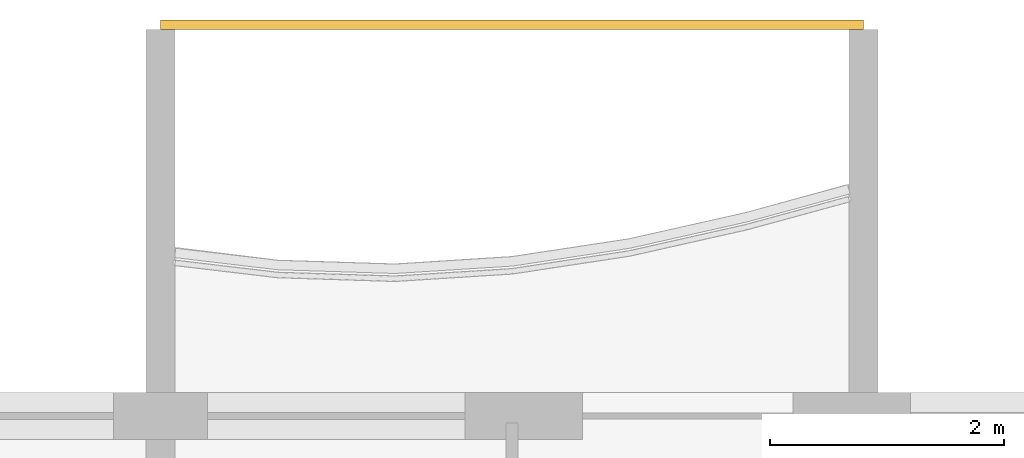
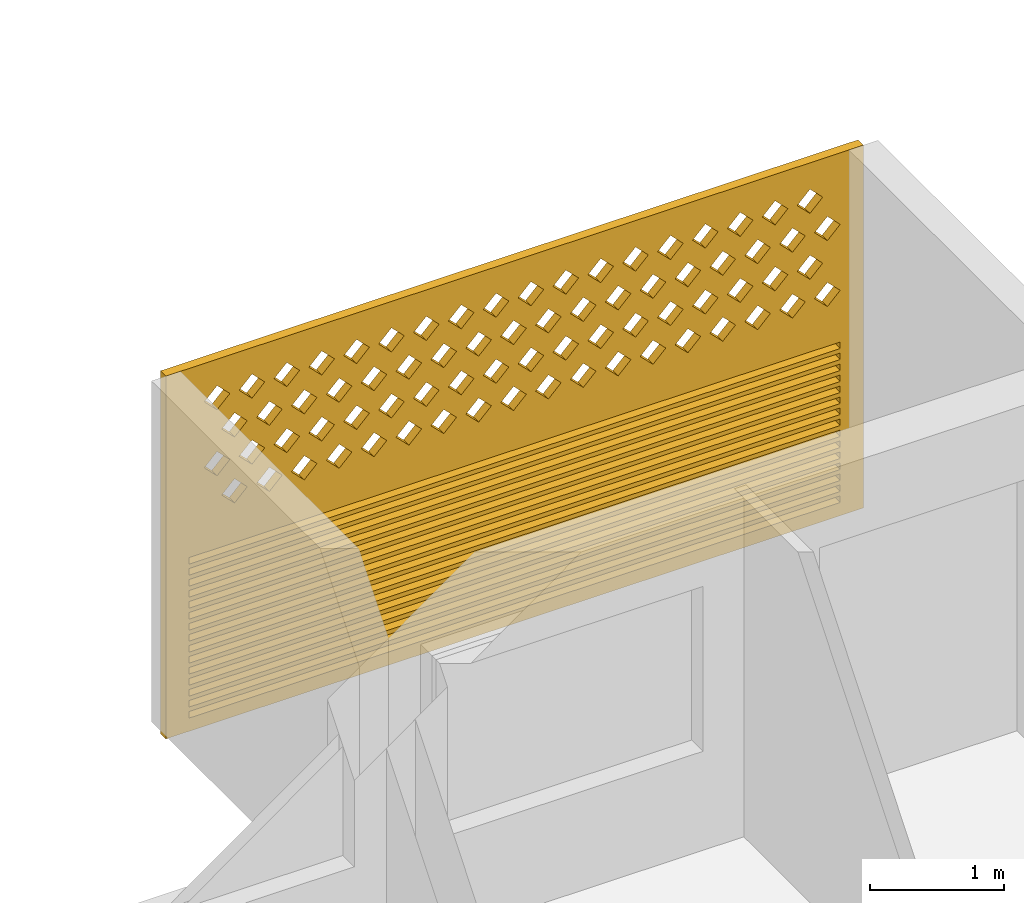
# One storey, part 20 of 26: 1 covering.
"""IFC4 building model written with IfcOpenShell, lengths in metres."""

import ifcopenshell
import ifcopenshell.guid

model = None  # the IFC model being written
_history = None  # IfcOwnerHistory: only IFC2X3 demands one
_inside = {}  # id of a spatial element -> (the spatial element, [elements in it])
_under = {}  # id of a project, library or spatial element -> (it, [spatial elements below it])
_declared = {}  # id of a project -> (the project, [libraries it declares])
_typed = {}  # id of a type object -> (the type object, [elements of that type])
_made_of = {}  # id of a material, layer set ... -> (it, [elements and type objects made of it])


def new_model(schema):
    """Start an empty IFC model of exactly this schema.

    Asked for "IFC4X3", IfcOpenShell would pick the latest addendum, in which some entities
    have other attributes; the version numbers below select the first issue.
    IFC2X3 requires an IfcOwnerHistory on every rooted entity: one is made here for all.
    """
    global model, _history
    if schema == "IFC4X3":
        model = ifcopenshell.file(schema_version=(4, 3, 0, 0))
    else:
        model = ifcopenshell.file(schema=schema)
    _inside.clear()
    _under.clear()
    _declared.clear()
    _typed.clear()
    _made_of.clear()
    _history = None
    if model.schema == "IFC2X3":
        org = make("IfcOrganization", Name="unknown")
        user = make(
            "IfcPersonAndOrganization",
            ThePerson=make("IfcPerson", FamilyName="unknown"),
            TheOrganization=org,
        )
        app = make(
            "IfcApplication",
            ApplicationDeveloper=org,
            Version="unknown",
            ApplicationFullName="unknown",
            ApplicationIdentifier="unknown",
        )
        _history = make(
            "IfcOwnerHistory",
            OwningUser=user,
            OwningApplication=app,
            ChangeAction="ADDED",
            CreationDate=0,
        )
    return model


def make(cls, **values):
    """One entity of the class cls with the attributes given. An attribute that is None is left unset."""
    return model.create_entity(
        cls, **{name: value for name, value in values.items() if value is not None}
    )


def rooted(cls, **values):
    """An entity with a GlobalId (a new one), such as an element, a storey or a relation."""
    return make(cls, GlobalId=ifcopenshell.guid.new(), OwnerHistory=_history, **values)


def si_unit(unit_type, name, prefix=None):
    """IfcSIUnit, for example si_unit("LENGTHUNIT", "METRE", prefix="MILLI")."""
    return make("IfcSIUnit", UnitType=unit_type, Prefix=prefix, Name=name)


def assignment(units):
    """IfcUnitAssignment: the units of a project."""
    return None if units is None else make("IfcUnitAssignment", Units=units)


def point(xyz):
    """IfcCartesianPoint."""
    return None if xyz is None else make("IfcCartesianPoint", Coordinates=xyz)


def direction(xyz):
    """IfcDirection."""
    return None if xyz is None else make("IfcDirection", DirectionRatios=xyz)


def frame(location, z_axis=None, x_axis=None):
    """IfcAxis2Placement3D, a coordinate frame: its origin and axes. An axis left out is left unset."""
    return make(
        "IfcAxis2Placement3D",
        Location=point(location),
        Axis=direction(z_axis),
        RefDirection=direction(x_axis),
    )


def origin():
    """The frame at (0, 0, 0) with its axes left unset."""
    return frame((0.0, 0.0, 0.0))


def place(relative_to, where):
    """IfcLocalPlacement: puts the frame where relative to a parent placement (None: the world)."""
    return make(
        "IfcLocalPlacement", PlacementRelTo=relative_to, RelativePlacement=where
    )


def context(
    kind, dimensions, precision=None, world=None, true_north=None, identifier=None
):
    """IfcGeometricRepresentationContext, for example the 3D "Model" context."""
    return make(
        "IfcGeometricRepresentationContext",
        ContextIdentifier=identifier,
        ContextType=kind,
        CoordinateSpaceDimension=dimensions,
        Precision=precision,
        WorldCoordinateSystem=world,
        TrueNorth=true_north,
    )


def subcontext(parent, identifier, kind, view, scale=None):
    """IfcGeometricRepresentationSubContext, for example "Body" below "Model"."""
    return make(
        "IfcGeometricRepresentationSubContext",
        ContextIdentifier=identifier,
        ContextType=kind,
        ParentContext=parent,
        TargetScale=scale,
        TargetView=view,
    )


def project(units=None, contexts=None):
    """IfcProject with its units and contexts."""
    return rooted(
        "IfcProject",
        Name="project",
        RepresentationContexts=contexts,
        UnitsInContext=assignment(units),
    )


def spatial(cls, under=None, at=None, **own):
    """A site, building, storey or space (cls), placed at a placement, below another one or the project."""
    s = rooted(cls, ObjectPlacement=at, **own)
    if under is not None:
        _under.setdefault(under.id(), (under, []))[1].append(s)
    return s


def polyline(points):
    """IfcPolyline through the points."""
    return make("IfcPolyline", Points=[point(p) for p in points])


def outline(outer, holes=None, kind="AREA"):
    """IfcArbitraryClosedProfileDef: a profile drawn as a closed curve; with holes, ...WithVoids."""
    if holes is None:
        return make("IfcArbitraryClosedProfileDef", ProfileType=kind, OuterCurve=outer)
    return make(
        "IfcArbitraryProfileDefWithVoids",
        ProfileType=kind,
        OuterCurve=outer,
        InnerCurves=holes,
    )


def extrude(swept, where, along, depth):
    """IfcExtrudedAreaSolid: the profile swept, set in the frame where, extruded along a direction by depth."""
    return make(
        "IfcExtrudedAreaSolid",
        SweptArea=swept,
        Position=where,
        ExtrudedDirection=direction(along),
        Depth=depth,
    )


def shape(context_of_items, identifier, shape_type, items):
    """IfcShapeRepresentation: the items that make up one representation, for example the "Body"."""
    return make(
        "IfcShapeRepresentation",
        ContextOfItems=context_of_items,
        RepresentationIdentifier=identifier,
        RepresentationType=shape_type,
        Items=items,
    )


def source(mapping_origin, context_of_items, identifier, shape_type, items):
    """IfcRepresentationMap: a shape defined once, which mapped items show again and again."""
    return make(
        "IfcRepresentationMap",
        MappingOrigin=mapping_origin,
        MappedRepresentation=shape(context_of_items, identifier, shape_type, items),
    )


def transform(
    local_origin,
    x_axis=None,
    y_axis=None,
    z_axis=None,
    scale=None,
    scale2=None,
    scale3=None,
    uniform=True,
):
    """IfcCartesianTransformationOperator3D, or its non-uniform kind. x_axis, y_axis, z_axis: its Axis1, 2, 3."""
    if uniform:
        return make(
            "IfcCartesianTransformationOperator3D",
            Axis1=direction(x_axis),
            Axis2=direction(y_axis),
            LocalOrigin=point(local_origin),
            Scale=scale,
            Axis3=direction(z_axis),
        )
    return make(
        "IfcCartesianTransformationOperator3DnonUniform",
        Axis1=direction(x_axis),
        Axis2=direction(y_axis),
        LocalOrigin=point(local_origin),
        Scale=scale,
        Axis3=direction(z_axis),
        Scale2=scale2,
        Scale3=scale3,
    )


def mapped(mapping_source, mapping_target):
    """IfcMappedItem: shows the shape of a source again, moved by a transform."""
    return make(
        "IfcMappedItem", MappingSource=mapping_source, MappingTarget=mapping_target
    )


def material(Name=None, Category=None):
    """IfcMaterial."""
    return make("IfcMaterial", Name=Name, Category=Category)


def material_profile(
    of_material, cross_section, Name=None, Category=None, Priority=None
):
    """IfcMaterialProfile: a cross section and its material."""
    return make(
        "IfcMaterialProfile",
        Name=Name,
        Material=of_material,
        Profile=cross_section,
        Priority=Priority,
        Category=Category,
    )


def profile_set(profiles, Name=None, composite=None):
    """IfcMaterialProfileSet."""
    return make(
        "IfcMaterialProfileSet",
        Name=Name,
        MaterialProfiles=profiles,
        CompositeProfile=composite,
    )


def made_of(thing, what):
    """Note that an element or type object is made of a material, layer set ...; save() writes the relation."""
    if what is not None:
        _made_of.setdefault(what.id(), (what, []))[1].append(thing)
    return thing


def type_object(cls, material=None, **own):
    """A type object (cls), such as IfcWallType, which elements share."""
    return made_of(rooted(cls, **own), material)


def element(
    cls,
    number,
    at=None,
    inside=None,
    cuts=None,
    type_object=None,
    material=None,
    context=None,
    identifier="Body",
    shape_type=None,
    held_by="IfcProductDefinitionShape",
    body=None,
    shapes=None,
    **own,
):
    """One element of the class cls, such as IfcWall. Its Tag is "e" and its number.

    at: its placement. inside: the storey or other place that contains it. cuts: it is an
    opening in that element (IfcRelVoidsElement). A single representation is given by context,
    identifier, shape_type and body (its items); several are given by shapes. held_by: the class
    of the entity that holds the representations. save() writes the other relations.
    """
    e = rooted(cls, Tag="e%d" % number, ObjectPlacement=at, **own)
    if body is not None:
        shapes = [shape(context, identifier, shape_type, body)]
    if shapes is not None:
        e.Representation = make(held_by, Representations=shapes)
    if inside is not None:
        _inside.setdefault(inside.id(), (inside, []))[1].append(e)
    if cuts is not None:
        rooted(
            "IfcRelVoidsElement", RelatingBuildingElement=cuts, RelatedOpeningElement=e
        )
    if type_object is not None:
        _typed.setdefault(type_object.id(), (type_object, []))[1].append(e)
    return made_of(e, material)


def aggregate(whole, parts):
    """IfcRelAggregates: a whole, such as a stair, and the parts it consists of."""
    return rooted("IfcRelAggregates", RelatingObject=whole, RelatedObjects=parts)


def save(model, path):
    """Write the relations noted so far, then the file.

    IfcRelAggregates (storeys below a building ...), IfcRelContainedInSpatialStructure (elements
    in a storey), IfcRelDefinesByType, IfcRelAssociatesMaterial and IfcRelDeclares: one each for
    every whole, place, type object, material and project.
    """
    for whole, parts in _under.values():
        aggregate(whole, parts)
    for where, things in _inside.values():
        rooted(
            "IfcRelContainedInSpatialStructure",
            RelatedElements=things,
            RelatingStructure=where,
        )
    for kind, things in _typed.values():
        rooted("IfcRelDefinesByType", RelatedObjects=things, RelatingType=kind)
    for what, things in _made_of.values():
        rooted("IfcRelAssociatesMaterial", RelatedObjects=things, RelatingMaterial=what)
    for by, libraries in _declared.values():
        rooted("IfcRelDeclares", RelatingContext=by, RelatedDefinitions=libraries)
    model.write(path)


model = new_model("IFC4")

# Units and contexts
model_context = context("Model", 3, precision=1e-05, world=origin(), true_north=direction((0.0, 1.0)))
body_context = subcontext(model_context, "Body", "Model", "MODEL_VIEW")
ifc_project = project(units=[si_unit("LENGTHUNIT", "METRE"), si_unit("AREAUNIT", "SQUARE_METRE"), si_unit("VOLUMEUNIT", "CUBIC_METRE"), si_unit("PLANEANGLEUNIT", "RADIAN"), si_unit("MASSUNIT", "GRAM", prefix="KILO")], contexts=[model_context])

# Site, building, storey
site_placement = place(None, origin())
site = spatial("IfcSite", under=ifc_project, at=site_placement, CompositionType="ELEMENT")
building_placement = place(site_placement, origin())
building = spatial("IfcBuilding", under=site, at=building_placement, Name="Poui Terraces", CompositionType="ELEMENT")
storey_placement = place(building_placement, frame((0.0, 0.0, 224.699951171875)))
storey = spatial("IfcBuildingStorey", under=building, at=storey_placement, Name="L62", CompositionType="ELEMENT", Elevation=224.699951171875)

# Covering
ifc_material = material(Name="Terracotta screen", Category="masonry")
ifc_material_profile = material_profile(ifc_material, outline(polyline([(-3.0, -1.64990234375), (3.0, -1.64990234375), (3.0, 1.64990234375), (-3.0, 1.64990234375), (-3.0, -1.64990234375)]), holes=[polyline([(-2.800048828125, 0.39990234375), (-2.68994140625, 0.2900390625), (-2.580078125, 0.39990234375), (-2.68994140625, 0.510009765625), (-2.800048828125, 0.39990234375)]), polyline([(-2.5, 0.39990234375), (-2.389892578125, 0.2900390625), (-2.280029296875, 0.39990234375), (-2.389892578125, 0.510009765625), (-2.5, 0.39990234375)]), polyline([(-2.199951171875, 0.39990234375), (-2.090087890625, 0.2900390625), (-1.97998046875, 0.39990234375), (-2.090087890625, 0.510009765625), (-2.199951171875, 0.39990234375)]), polyline([(-1.89990234375, 0.39990234375), (-1.7900390625, 0.2900390625), (-1.679931640625, 0.39990234375), (-1.7900390625, 0.510009765625), (-1.89990234375, 0.39990234375)]), polyline([(-1.60009765625, 0.39990234375), (-1.489990234375, 0.2900390625), (-1.3798828125, 0.39990234375), (-1.489990234375, 0.510009765625), (-1.60009765625, 0.39990234375)]), polyline([(-1.300048828125, 0.39990234375), (-1.18994140625, 0.2900390625), (-1.080078125, 0.39990234375), (-1.18994140625, 0.510009765625), (-1.300048828125, 0.39990234375)]), polyline([(-1.0, 0.39990234375), (-0.889892578125, 0.2900390625), (-0.780029296875, 0.39990234375), (-0.889892578125, 0.510009765625), (-1.0, 0.39990234375)]), polyline([(-0.699951171875, 0.39990234375), (-0.590087890625, 0.2900390625), (-0.47998046875, 0.39990234375), (-0.590087890625, 0.510009765625), (-0.699951171875, 0.39990234375)]), polyline([(-0.39990234375, 0.39990234375), (-0.2900390625, 0.2900390625), (-0.179931640625, 0.39990234375), (-0.2900390625, 0.510009765625), (-0.39990234375, 0.39990234375)]), polyline([(-0.10009765625, 0.39990234375), (0.010009765625, 0.2900390625), (0.1201171875, 0.39990234375), (0.010009765625, 0.510009765625), (-0.10009765625, 0.39990234375)]), polyline([(0.199951171875, 0.39990234375), (0.31005859375, 0.2900390625), (0.419921875, 0.39990234375), (0.31005859375, 0.510009765625), (0.199951171875, 0.39990234375)]), polyline([(0.5, 0.39990234375), (0.610107421875, 0.2900390625), (0.719970703125, 0.39990234375), (0.610107421875, 0.510009765625), (0.5, 0.39990234375)]), polyline([(0.800048828125, 0.39990234375), (0.909912109375, 0.2900390625), (1.02001953125, 0.39990234375), (0.909912109375, 0.510009765625), (0.800048828125, 0.39990234375)]), polyline([(1.10009765625, 0.39990234375), (1.2099609375, 0.2900390625), (1.320068359375, 0.39990234375), (1.2099609375, 0.510009765625), (1.10009765625, 0.39990234375)]), polyline([(1.39990234375, 0.39990234375), (1.510009765625, 0.2900390625), (1.6201171875, 0.39990234375), (1.510009765625, 0.510009765625), (1.39990234375, 0.39990234375)]), polyline([(1.699951171875, 0.39990234375), (1.81005859375, 0.2900390625), (1.919921875, 0.39990234375), (1.81005859375, 0.510009765625), (1.699951171875, 0.39990234375)]), polyline([(2.0, 0.39990234375), (2.110107421875, 0.2900390625), (2.219970703125, 0.39990234375), (2.110107421875, 0.510009765625), (2.0, 0.39990234375)]), polyline([(2.300048828125, 0.39990234375), (2.409912109375, 0.2900390625), (2.52001953125, 0.39990234375), (2.409912109375, 0.510009765625), (2.300048828125, 0.39990234375)]), polyline([(-2.64990234375, 0.699951171875), (-2.5400390625, 0.590087890625), (-2.429931640625, 0.699951171875), (-2.5400390625, 0.81005859375), (-2.64990234375, 0.699951171875)]), polyline([(-2.35009765625, 0.699951171875), (-2.239990234375, 0.590087890625), (-2.1298828125, 0.699951171875), (-2.239990234375, 0.81005859375), (-2.35009765625, 0.699951171875)]), polyline([(-2.050048828125, 0.699951171875), (-1.93994140625, 0.590087890625), (-1.830078125, 0.699951171875), (-1.93994140625, 0.81005859375), (-2.050048828125, 0.699951171875)]), polyline([(-1.75, 0.699951171875), (-1.639892578125, 0.590087890625), (-1.530029296875, 0.699951171875), (-1.639892578125, 0.81005859375), (-1.75, 0.699951171875)]), polyline([(-1.449951171875, 0.699951171875), (-1.340087890625, 0.590087890625), (-1.22998046875, 0.699951171875), (-1.340087890625, 0.81005859375), (-1.449951171875, 0.699951171875)]), polyline([(-1.14990234375, 0.699951171875), (-1.0400390625, 0.590087890625), (-0.929931640625, 0.699951171875), (-1.0400390625, 0.81005859375), (-1.14990234375, 0.699951171875)]), polyline([(-0.85009765625, 0.699951171875), (-0.739990234375, 0.590087890625), (-0.6298828125, 0.699951171875), (-0.739990234375, 0.81005859375), (-0.85009765625, 0.699951171875)]), polyline([(-0.550048828125, 0.699951171875), (-0.43994140625, 0.590087890625), (-0.330078125, 0.699951171875), (-0.43994140625, 0.81005859375), (-0.550048828125, 0.699951171875)]), polyline([(-0.25, 0.699951171875), (-0.139892578125, 0.590087890625), (-0.030029296875, 0.699951171875), (-0.139892578125, 0.81005859375), (-0.25, 0.699951171875)]), polyline([(0.050048828125, 0.699951171875), (0.159912109375, 0.590087890625), (0.27001953125, 0.699951171875), (0.159912109375, 0.81005859375), (0.050048828125, 0.699951171875)]), polyline([(0.35009765625, 0.699951171875), (0.4599609375, 0.590087890625), (0.570068359375, 0.699951171875), (0.4599609375, 0.81005859375), (0.35009765625, 0.699951171875)]), polyline([(0.64990234375, 0.699951171875), (0.760009765625, 0.590087890625), (0.8701171875, 0.699951171875), (0.760009765625, 0.81005859375), (0.64990234375, 0.699951171875)]), polyline([(0.949951171875, 0.699951171875), (1.06005859375, 0.590087890625), (1.169921875, 0.699951171875), (1.06005859375, 0.81005859375), (0.949951171875, 0.699951171875)]), polyline([(1.25, 0.699951171875), (1.360107421875, 0.590087890625), (1.469970703125, 0.699951171875), (1.360107421875, 0.81005859375), (1.25, 0.699951171875)]), polyline([(1.550048828125, 0.699951171875), (1.659912109375, 0.590087890625), (1.77001953125, 0.699951171875), (1.659912109375, 0.81005859375), (1.550048828125, 0.699951171875)]), polyline([(1.85009765625, 0.699951171875), (1.9599609375, 0.590087890625), (2.070068359375, 0.699951171875), (1.9599609375, 0.81005859375), (1.85009765625, 0.699951171875)]), polyline([(2.14990234375, 0.699951171875), (2.260009765625, 0.590087890625), (2.3701171875, 0.699951171875), (2.260009765625, 0.81005859375), (2.14990234375, 0.699951171875)]), polyline([(2.449951171875, 0.699951171875), (2.56005859375, 0.590087890625), (2.669921875, 0.699951171875), (2.56005859375, 0.81005859375), (2.449951171875, 0.699951171875)]), polyline([(-2.800048828125, 1.0), (-2.68994140625, 0.889892578125), (-2.580078125, 1.0), (-2.68994140625, 1.110107421875), (-2.800048828125, 1.0)]), polyline([(-2.5, 1.0), (-2.389892578125, 0.889892578125), (-2.280029296875, 1.0), (-2.389892578125, 1.110107421875), (-2.5, 1.0)]), polyline([(-2.199951171875, 1.0), (-2.090087890625, 0.889892578125), (-1.97998046875, 1.0), (-2.090087890625, 1.110107421875), (-2.199951171875, 1.0)]), polyline([(-1.89990234375, 1.0), (-1.7900390625, 0.889892578125), (-1.679931640625, 1.0), (-1.7900390625, 1.110107421875), (-1.89990234375, 1.0)]), polyline([(-1.60009765625, 1.0), (-1.489990234375, 0.889892578125), (-1.3798828125, 1.0), (-1.489990234375, 1.110107421875), (-1.60009765625, 1.0)]), polyline([(-1.300048828125, 1.0), (-1.18994140625, 0.889892578125), (-1.080078125, 1.0), (-1.18994140625, 1.110107421875), (-1.300048828125, 1.0)]), polyline([(-1.0, 1.0), (-0.889892578125, 0.889892578125), (-0.780029296875, 1.0), (-0.889892578125, 1.110107421875), (-1.0, 1.0)]), polyline([(-0.699951171875, 1.0), (-0.590087890625, 0.889892578125), (-0.47998046875, 1.0), (-0.590087890625, 1.110107421875), (-0.699951171875, 1.0)]), polyline([(-0.39990234375, 1.0), (-0.2900390625, 0.889892578125), (-0.179931640625, 1.0), (-0.2900390625, 1.110107421875), (-0.39990234375, 1.0)]), polyline([(-0.10009765625, 1.0), (0.010009765625, 0.889892578125), (0.1201171875, 1.0), (0.010009765625, 1.110107421875), (-0.10009765625, 1.0)]), polyline([(0.199951171875, 1.0), (0.31005859375, 0.889892578125), (0.419921875, 1.0), (0.31005859375, 1.110107421875), (0.199951171875, 1.0)]), polyline([(0.5, 1.0), (0.610107421875, 0.889892578125), (0.719970703125, 1.0), (0.610107421875, 1.110107421875), (0.5, 1.0)]), polyline([(0.800048828125, 1.0), (0.909912109375, 0.889892578125), (1.02001953125, 1.0), (0.909912109375, 1.110107421875), (0.800048828125, 1.0)]), polyline([(1.10009765625, 1.0), (1.2099609375, 0.889892578125), (1.320068359375, 1.0), (1.2099609375, 1.110107421875), (1.10009765625, 1.0)]), polyline([(1.39990234375, 1.0), (1.510009765625, 0.889892578125), (1.6201171875, 1.0), (1.510009765625, 1.110107421875), (1.39990234375, 1.0)]), polyline([(1.699951171875, 1.0), (1.81005859375, 0.889892578125), (1.919921875, 1.0), (1.81005859375, 1.110107421875), (1.699951171875, 1.0)]), polyline([(2.0, 1.0), (2.110107421875, 0.889892578125), (2.219970703125, 1.0), (2.110107421875, 1.110107421875), (2.0, 1.0)]), polyline([(2.300048828125, 1.0), (2.409912109375, 0.889892578125), (2.52001953125, 1.0), (2.409912109375, 1.110107421875), (2.300048828125, 1.0)]), polyline([(-2.64990234375, 1.300048828125), (-2.5400390625, 1.18994140625), (-2.429931640625, 1.300048828125), (-2.5400390625, 1.409912109375), (-2.64990234375, 1.300048828125)]), polyline([(-2.35009765625, 1.300048828125), (-2.239990234375, 1.18994140625), (-2.1298828125, 1.300048828125), (-2.239990234375, 1.409912109375), (-2.35009765625, 1.300048828125)]), polyline([(-2.050048828125, 1.300048828125), (-1.93994140625, 1.18994140625), (-1.830078125, 1.300048828125), (-1.93994140625, 1.409912109375), (-2.050048828125, 1.300048828125)]), polyline([(-1.75, 1.300048828125), (-1.639892578125, 1.18994140625), (-1.530029296875, 1.300048828125), (-1.639892578125, 1.409912109375), (-1.75, 1.300048828125)]), polyline([(-1.449951171875, 1.300048828125), (-1.340087890625, 1.18994140625), (-1.22998046875, 1.300048828125), (-1.340087890625, 1.409912109375), (-1.449951171875, 1.300048828125)]), polyline([(-1.14990234375, 1.300048828125), (-1.0400390625, 1.18994140625), (-0.929931640625, 1.300048828125), (-1.0400390625, 1.409912109375), (-1.14990234375, 1.300048828125)]), polyline([(-0.85009765625, 1.300048828125), (-0.739990234375, 1.18994140625), (-0.6298828125, 1.300048828125), (-0.739990234375, 1.409912109375), (-0.85009765625, 1.300048828125)]), polyline([(-0.550048828125, 1.300048828125), (-0.43994140625, 1.18994140625), (-0.330078125, 1.300048828125), (-0.43994140625, 1.409912109375), (-0.550048828125, 1.300048828125)]), polyline([(-0.25, 1.300048828125), (-0.139892578125, 1.18994140625), (-0.030029296875, 1.300048828125), (-0.139892578125, 1.409912109375), (-0.25, 1.300048828125)]), polyline([(0.050048828125, 1.300048828125), (0.159912109375, 1.18994140625), (0.27001953125, 1.300048828125), (0.159912109375, 1.409912109375), (0.050048828125, 1.300048828125)]), polyline([(0.35009765625, 1.300048828125), (0.4599609375, 1.18994140625), (0.570068359375, 1.300048828125), (0.4599609375, 1.409912109375), (0.35009765625, 1.300048828125)]), polyline([(0.64990234375, 1.300048828125), (0.760009765625, 1.18994140625), (0.8701171875, 1.300048828125), (0.760009765625, 1.409912109375), (0.64990234375, 1.300048828125)]), polyline([(0.949951171875, 1.300048828125), (1.06005859375, 1.18994140625), (1.169921875, 1.300048828125), (1.06005859375, 1.409912109375), (0.949951171875, 1.300048828125)]), polyline([(1.25, 1.300048828125), (1.360107421875, 1.18994140625), (1.469970703125, 1.300048828125), (1.360107421875, 1.409912109375), (1.25, 1.300048828125)]), polyline([(1.550048828125, 1.300048828125), (1.659912109375, 1.18994140625), (1.77001953125, 1.300048828125), (1.659912109375, 1.409912109375), (1.550048828125, 1.300048828125)]), polyline([(1.85009765625, 1.300048828125), (1.9599609375, 1.18994140625), (2.070068359375, 1.300048828125), (1.9599609375, 1.409912109375), (1.85009765625, 1.300048828125)]), polyline([(2.14990234375, 1.300048828125), (2.260009765625, 1.18994140625), (2.3701171875, 1.300048828125), (2.260009765625, 1.409912109375), (2.14990234375, 1.300048828125)]), polyline([(2.449951171875, 1.300048828125), (2.56005859375, 1.18994140625), (2.669921875, 1.300048828125), (2.56005859375, 1.409912109375), (2.449951171875, 1.300048828125)]), polyline([(-2.800048828125, -1.530029296875), (2.800048828125, -1.530029296875), (2.800048828125, -1.469970703125), (-2.800048828125, -1.469970703125), (-2.800048828125, -1.530029296875)]), polyline([(-2.800048828125, -1.429931640625), (2.800048828125, -1.429931640625), (2.800048828125, -1.3701171875), (-2.800048828125, -1.3701171875), (-2.800048828125, -1.429931640625)]), polyline([(-2.800048828125, -1.330078125), (2.800048828125, -1.330078125), (2.800048828125, -1.27001953125), (-2.800048828125, -1.27001953125), (-2.800048828125, -1.330078125)]), polyline([(-2.800048828125, -1.22998046875), (2.800048828125, -1.22998046875), (2.800048828125, -1.169921875), (-2.800048828125, -1.169921875), (-2.800048828125, -1.22998046875)]), polyline([(-2.800048828125, -1.1298828125), (2.800048828125, -1.1298828125), (2.800048828125, -1.070068359375), (-2.800048828125, -1.070068359375), (-2.800048828125, -1.1298828125)]), polyline([(-2.800048828125, -1.030029296875), (2.800048828125, -1.030029296875), (2.800048828125, -0.969970703125), (-2.800048828125, -0.969970703125), (-2.800048828125, -1.030029296875)]), polyline([(-2.800048828125, -0.929931640625), (2.800048828125, -0.929931640625), (2.800048828125, -0.8701171875), (-2.800048828125, -0.8701171875), (-2.800048828125, -0.929931640625)]), polyline([(-2.800048828125, -0.830078125), (2.800048828125, -0.830078125), (2.800048828125, -0.77001953125), (-2.800048828125, -0.77001953125), (-2.800048828125, -0.830078125)]), polyline([(-2.800048828125, -0.72998046875), (2.800048828125, -0.72998046875), (2.800048828125, -0.669921875), (-2.800048828125, -0.669921875), (-2.800048828125, -0.72998046875)]), polyline([(-2.800048828125, -0.6298828125), (2.800048828125, -0.6298828125), (2.800048828125, -0.570068359375), (-2.800048828125, -0.570068359375), (-2.800048828125, -0.6298828125)]), polyline([(-2.800048828125, -0.530029296875), (2.800048828125, -0.530029296875), (2.800048828125, -0.469970703125), (-2.800048828125, -0.469970703125), (-2.800048828125, -0.530029296875)]), polyline([(-2.800048828125, -0.429931640625), (2.800048828125, -0.429931640625), (2.800048828125, -0.3701171875), (-2.800048828125, -0.3701171875), (-2.800048828125, -0.429931640625)]), polyline([(-2.800048828125, -0.330078125), (2.800048828125, -0.330078125), (2.800048828125, -0.27001953125), (-2.800048828125, -0.27001953125), (-2.800048828125, -0.330078125)]), polyline([(-2.800048828125, -0.22998046875), (2.800048828125, -0.22998046875), (2.800048828125, -0.169921875), (-2.800048828125, -0.169921875), (-2.800048828125, -0.22998046875)]), polyline([(-2.800048828125, -0.1298828125), (2.800048828125, -0.1298828125), (2.800048828125, -0.070068359375), (-2.800048828125, -0.070068359375), (-2.800048828125, -0.1298828125)])]), Name="TERRACOTTA SCREEN AND JALOUSIE LOUVRE 6000X3300")
ifc_profile_set = profile_set([ifc_material_profile], Name="Terracotta screen")
covering_type = type_object("IfcCoveringType", Name="TERRACOTTA SCREEN AND JALOUSIE LOUVRE 6000X3300", PredefinedType="CLADDING", material=ifc_profile_set)
shared_shape = source(origin(), body_context, "Body", "SweptSolid", [
    extrude(outline(polyline([(-3.0, -1.64990234375), (3.0, -1.64990234375), (3.0, 1.64990234375), (-3.0, 1.64990234375), (-3.0, -1.64990234375)]), holes=[polyline([(-2.800048828125, 0.39990234375), (-2.68994140625, 0.2900390625), (-2.580078125, 0.39990234375), (-2.68994140625, 0.510009765625), (-2.800048828125, 0.39990234375)]), polyline([(-2.5, 0.39990234375), (-2.389892578125, 0.2900390625), (-2.280029296875, 0.39990234375), (-2.389892578125, 0.510009765625), (-2.5, 0.39990234375)]), polyline([(-2.199951171875, 0.39990234375), (-2.090087890625, 0.2900390625), (-1.97998046875, 0.39990234375), (-2.090087890625, 0.510009765625), (-2.199951171875, 0.39990234375)]), polyline([(-1.89990234375, 0.39990234375), (-1.7900390625, 0.2900390625), (-1.679931640625, 0.39990234375), (-1.7900390625, 0.510009765625), (-1.89990234375, 0.39990234375)]), polyline([(-1.60009765625, 0.39990234375), (-1.489990234375, 0.2900390625), (-1.3798828125, 0.39990234375), (-1.489990234375, 0.510009765625), (-1.60009765625, 0.39990234375)]), polyline([(-1.300048828125, 0.39990234375), (-1.18994140625, 0.2900390625), (-1.080078125, 0.39990234375), (-1.18994140625, 0.510009765625), (-1.300048828125, 0.39990234375)]), polyline([(-1.0, 0.39990234375), (-0.889892578125, 0.2900390625), (-0.780029296875, 0.39990234375), (-0.889892578125, 0.510009765625), (-1.0, 0.39990234375)]), polyline([(-0.699951171875, 0.39990234375), (-0.590087890625, 0.2900390625), (-0.47998046875, 0.39990234375), (-0.590087890625, 0.510009765625), (-0.699951171875, 0.39990234375)]), polyline([(-0.39990234375, 0.39990234375), (-0.2900390625, 0.2900390625), (-0.179931640625, 0.39990234375), (-0.2900390625, 0.510009765625), (-0.39990234375, 0.39990234375)]), polyline([(-0.10009765625, 0.39990234375), (0.010009765625, 0.2900390625), (0.1201171875, 0.39990234375), (0.010009765625, 0.510009765625), (-0.10009765625, 0.39990234375)]), polyline([(0.199951171875, 0.39990234375), (0.31005859375, 0.2900390625), (0.419921875, 0.39990234375), (0.31005859375, 0.510009765625), (0.199951171875, 0.39990234375)]), polyline([(0.5, 0.39990234375), (0.610107421875, 0.2900390625), (0.719970703125, 0.39990234375), (0.610107421875, 0.510009765625), (0.5, 0.39990234375)]), polyline([(0.800048828125, 0.39990234375), (0.909912109375, 0.2900390625), (1.02001953125, 0.39990234375), (0.909912109375, 0.510009765625), (0.800048828125, 0.39990234375)]), polyline([(1.10009765625, 0.39990234375), (1.2099609375, 0.2900390625), (1.320068359375, 0.39990234375), (1.2099609375, 0.510009765625), (1.10009765625, 0.39990234375)]), polyline([(1.39990234375, 0.39990234375), (1.510009765625, 0.2900390625), (1.6201171875, 0.39990234375), (1.510009765625, 0.510009765625), (1.39990234375, 0.39990234375)]), polyline([(1.699951171875, 0.39990234375), (1.81005859375, 0.2900390625), (1.919921875, 0.39990234375), (1.81005859375, 0.510009765625), (1.699951171875, 0.39990234375)]), polyline([(2.0, 0.39990234375), (2.110107421875, 0.2900390625), (2.219970703125, 0.39990234375), (2.110107421875, 0.510009765625), (2.0, 0.39990234375)]), polyline([(2.300048828125, 0.39990234375), (2.409912109375, 0.2900390625), (2.52001953125, 0.39990234375), (2.409912109375, 0.510009765625), (2.300048828125, 0.39990234375)]), polyline([(-2.64990234375, 0.699951171875), (-2.5400390625, 0.590087890625), (-2.429931640625, 0.699951171875), (-2.5400390625, 0.81005859375), (-2.64990234375, 0.699951171875)]), polyline([(-2.35009765625, 0.699951171875), (-2.239990234375, 0.590087890625), (-2.1298828125, 0.699951171875), (-2.239990234375, 0.81005859375), (-2.35009765625, 0.699951171875)]), polyline([(-2.050048828125, 0.699951171875), (-1.93994140625, 0.590087890625), (-1.830078125, 0.699951171875), (-1.93994140625, 0.81005859375), (-2.050048828125, 0.699951171875)]), polyline([(-1.75, 0.699951171875), (-1.639892578125, 0.590087890625), (-1.530029296875, 0.699951171875), (-1.639892578125, 0.81005859375), (-1.75, 0.699951171875)]), polyline([(-1.449951171875, 0.699951171875), (-1.340087890625, 0.590087890625), (-1.22998046875, 0.699951171875), (-1.340087890625, 0.81005859375), (-1.449951171875, 0.699951171875)]), polyline([(-1.14990234375, 0.699951171875), (-1.0400390625, 0.590087890625), (-0.929931640625, 0.699951171875), (-1.0400390625, 0.81005859375), (-1.14990234375, 0.699951171875)]), polyline([(-0.85009765625, 0.699951171875), (-0.739990234375, 0.590087890625), (-0.6298828125, 0.699951171875), (-0.739990234375, 0.81005859375), (-0.85009765625, 0.699951171875)]), polyline([(-0.550048828125, 0.699951171875), (-0.43994140625, 0.590087890625), (-0.330078125, 0.699951171875), (-0.43994140625, 0.81005859375), (-0.550048828125, 0.699951171875)]), polyline([(-0.25, 0.699951171875), (-0.139892578125, 0.590087890625), (-0.030029296875, 0.699951171875), (-0.139892578125, 0.81005859375), (-0.25, 0.699951171875)]), polyline([(0.050048828125, 0.699951171875), (0.159912109375, 0.590087890625), (0.27001953125, 0.699951171875), (0.159912109375, 0.81005859375), (0.050048828125, 0.699951171875)]), polyline([(0.35009765625, 0.699951171875), (0.4599609375, 0.590087890625), (0.570068359375, 0.699951171875), (0.4599609375, 0.81005859375), (0.35009765625, 0.699951171875)]), polyline([(0.64990234375, 0.699951171875), (0.760009765625, 0.590087890625), (0.8701171875, 0.699951171875), (0.760009765625, 0.81005859375), (0.64990234375, 0.699951171875)]), polyline([(0.949951171875, 0.699951171875), (1.06005859375, 0.590087890625), (1.169921875, 0.699951171875), (1.06005859375, 0.81005859375), (0.949951171875, 0.699951171875)]), polyline([(1.25, 0.699951171875), (1.360107421875, 0.590087890625), (1.469970703125, 0.699951171875), (1.360107421875, 0.81005859375), (1.25, 0.699951171875)]), polyline([(1.550048828125, 0.699951171875), (1.659912109375, 0.590087890625), (1.77001953125, 0.699951171875), (1.659912109375, 0.81005859375), (1.550048828125, 0.699951171875)]), polyline([(1.85009765625, 0.699951171875), (1.9599609375, 0.590087890625), (2.070068359375, 0.699951171875), (1.9599609375, 0.81005859375), (1.85009765625, 0.699951171875)]), polyline([(2.14990234375, 0.699951171875), (2.260009765625, 0.590087890625), (2.3701171875, 0.699951171875), (2.260009765625, 0.81005859375), (2.14990234375, 0.699951171875)]), polyline([(2.449951171875, 0.699951171875), (2.56005859375, 0.590087890625), (2.669921875, 0.699951171875), (2.56005859375, 0.81005859375), (2.449951171875, 0.699951171875)]), polyline([(-2.800048828125, 1.0), (-2.68994140625, 0.889892578125), (-2.580078125, 1.0), (-2.68994140625, 1.110107421875), (-2.800048828125, 1.0)]), polyline([(-2.5, 1.0), (-2.389892578125, 0.889892578125), (-2.280029296875, 1.0), (-2.389892578125, 1.110107421875), (-2.5, 1.0)]), polyline([(-2.199951171875, 1.0), (-2.090087890625, 0.889892578125), (-1.97998046875, 1.0), (-2.090087890625, 1.110107421875), (-2.199951171875, 1.0)]), polyline([(-1.89990234375, 1.0), (-1.7900390625, 0.889892578125), (-1.679931640625, 1.0), (-1.7900390625, 1.110107421875), (-1.89990234375, 1.0)]), polyline([(-1.60009765625, 1.0), (-1.489990234375, 0.889892578125), (-1.3798828125, 1.0), (-1.489990234375, 1.110107421875), (-1.60009765625, 1.0)]), polyline([(-1.300048828125, 1.0), (-1.18994140625, 0.889892578125), (-1.080078125, 1.0), (-1.18994140625, 1.110107421875), (-1.300048828125, 1.0)]), polyline([(-1.0, 1.0), (-0.889892578125, 0.889892578125), (-0.780029296875, 1.0), (-0.889892578125, 1.110107421875), (-1.0, 1.0)]), polyline([(-0.699951171875, 1.0), (-0.590087890625, 0.889892578125), (-0.47998046875, 1.0), (-0.590087890625, 1.110107421875), (-0.699951171875, 1.0)]), polyline([(-0.39990234375, 1.0), (-0.2900390625, 0.889892578125), (-0.179931640625, 1.0), (-0.2900390625, 1.110107421875), (-0.39990234375, 1.0)]), polyline([(-0.10009765625, 1.0), (0.010009765625, 0.889892578125), (0.1201171875, 1.0), (0.010009765625, 1.110107421875), (-0.10009765625, 1.0)]), polyline([(0.199951171875, 1.0), (0.31005859375, 0.889892578125), (0.419921875, 1.0), (0.31005859375, 1.110107421875), (0.199951171875, 1.0)]), polyline([(0.5, 1.0), (0.610107421875, 0.889892578125), (0.719970703125, 1.0), (0.610107421875, 1.110107421875), (0.5, 1.0)]), polyline([(0.800048828125, 1.0), (0.909912109375, 0.889892578125), (1.02001953125, 1.0), (0.909912109375, 1.110107421875), (0.800048828125, 1.0)]), polyline([(1.10009765625, 1.0), (1.2099609375, 0.889892578125), (1.320068359375, 1.0), (1.2099609375, 1.110107421875), (1.10009765625, 1.0)]), polyline([(1.39990234375, 1.0), (1.510009765625, 0.889892578125), (1.6201171875, 1.0), (1.510009765625, 1.110107421875), (1.39990234375, 1.0)]), polyline([(1.699951171875, 1.0), (1.81005859375, 0.889892578125), (1.919921875, 1.0), (1.81005859375, 1.110107421875), (1.699951171875, 1.0)]), polyline([(2.0, 1.0), (2.110107421875, 0.889892578125), (2.219970703125, 1.0), (2.110107421875, 1.110107421875), (2.0, 1.0)]), polyline([(2.300048828125, 1.0), (2.409912109375, 0.889892578125), (2.52001953125, 1.0), (2.409912109375, 1.110107421875), (2.300048828125, 1.0)]), polyline([(-2.64990234375, 1.300048828125), (-2.5400390625, 1.18994140625), (-2.429931640625, 1.300048828125), (-2.5400390625, 1.409912109375), (-2.64990234375, 1.300048828125)]), polyline([(-2.35009765625, 1.300048828125), (-2.239990234375, 1.18994140625), (-2.1298828125, 1.300048828125), (-2.239990234375, 1.409912109375), (-2.35009765625, 1.300048828125)]), polyline([(-2.050048828125, 1.300048828125), (-1.93994140625, 1.18994140625), (-1.830078125, 1.300048828125), (-1.93994140625, 1.409912109375), (-2.050048828125, 1.300048828125)]), polyline([(-1.75, 1.300048828125), (-1.639892578125, 1.18994140625), (-1.530029296875, 1.300048828125), (-1.639892578125, 1.409912109375), (-1.75, 1.300048828125)]), polyline([(-1.449951171875, 1.300048828125), (-1.340087890625, 1.18994140625), (-1.22998046875, 1.300048828125), (-1.340087890625, 1.409912109375), (-1.449951171875, 1.300048828125)]), polyline([(-1.14990234375, 1.300048828125), (-1.0400390625, 1.18994140625), (-0.929931640625, 1.300048828125), (-1.0400390625, 1.409912109375), (-1.14990234375, 1.300048828125)]), polyline([(-0.85009765625, 1.300048828125), (-0.739990234375, 1.18994140625), (-0.6298828125, 1.300048828125), (-0.739990234375, 1.409912109375), (-0.85009765625, 1.300048828125)]), polyline([(-0.550048828125, 1.300048828125), (-0.43994140625, 1.18994140625), (-0.330078125, 1.300048828125), (-0.43994140625, 1.409912109375), (-0.550048828125, 1.300048828125)]), polyline([(-0.25, 1.300048828125), (-0.139892578125, 1.18994140625), (-0.030029296875, 1.300048828125), (-0.139892578125, 1.409912109375), (-0.25, 1.300048828125)]), polyline([(0.050048828125, 1.300048828125), (0.159912109375, 1.18994140625), (0.27001953125, 1.300048828125), (0.159912109375, 1.409912109375), (0.050048828125, 1.300048828125)]), polyline([(0.35009765625, 1.300048828125), (0.4599609375, 1.18994140625), (0.570068359375, 1.300048828125), (0.4599609375, 1.409912109375), (0.35009765625, 1.300048828125)]), polyline([(0.64990234375, 1.300048828125), (0.760009765625, 1.18994140625), (0.8701171875, 1.300048828125), (0.760009765625, 1.409912109375), (0.64990234375, 1.300048828125)]), polyline([(0.949951171875, 1.300048828125), (1.06005859375, 1.18994140625), (1.169921875, 1.300048828125), (1.06005859375, 1.409912109375), (0.949951171875, 1.300048828125)]), polyline([(1.25, 1.300048828125), (1.360107421875, 1.18994140625), (1.469970703125, 1.300048828125), (1.360107421875, 1.409912109375), (1.25, 1.300048828125)]), polyline([(1.550048828125, 1.300048828125), (1.659912109375, 1.18994140625), (1.77001953125, 1.300048828125), (1.659912109375, 1.409912109375), (1.550048828125, 1.300048828125)]), polyline([(1.85009765625, 1.300048828125), (1.9599609375, 1.18994140625), (2.070068359375, 1.300048828125), (1.9599609375, 1.409912109375), (1.85009765625, 1.300048828125)]), polyline([(2.14990234375, 1.300048828125), (2.260009765625, 1.18994140625), (2.3701171875, 1.300048828125), (2.260009765625, 1.409912109375), (2.14990234375, 1.300048828125)]), polyline([(2.449951171875, 1.300048828125), (2.56005859375, 1.18994140625), (2.669921875, 1.300048828125), (2.56005859375, 1.409912109375), (2.449951171875, 1.300048828125)]), polyline([(-2.800048828125, -1.530029296875), (2.800048828125, -1.530029296875), (2.800048828125, -1.469970703125), (-2.800048828125, -1.469970703125), (-2.800048828125, -1.530029296875)]), polyline([(-2.800048828125, -1.429931640625), (2.800048828125, -1.429931640625), (2.800048828125, -1.3701171875), (-2.800048828125, -1.3701171875), (-2.800048828125, -1.429931640625)]), polyline([(-2.800048828125, -1.330078125), (2.800048828125, -1.330078125), (2.800048828125, -1.27001953125), (-2.800048828125, -1.27001953125), (-2.800048828125, -1.330078125)]), polyline([(-2.800048828125, -1.22998046875), (2.800048828125, -1.22998046875), (2.800048828125, -1.169921875), (-2.800048828125, -1.169921875), (-2.800048828125, -1.22998046875)]), polyline([(-2.800048828125, -1.1298828125), (2.800048828125, -1.1298828125), (2.800048828125, -1.070068359375), (-2.800048828125, -1.070068359375), (-2.800048828125, -1.1298828125)]), polyline([(-2.800048828125, -1.030029296875), (2.800048828125, -1.030029296875), (2.800048828125, -0.969970703125), (-2.800048828125, -0.969970703125), (-2.800048828125, -1.030029296875)]), polyline([(-2.800048828125, -0.929931640625), (2.800048828125, -0.929931640625), (2.800048828125, -0.8701171875), (-2.800048828125, -0.8701171875), (-2.800048828125, -0.929931640625)]), polyline([(-2.800048828125, -0.830078125), (2.800048828125, -0.830078125), (2.800048828125, -0.77001953125), (-2.800048828125, -0.77001953125), (-2.800048828125, -0.830078125)]), polyline([(-2.800048828125, -0.72998046875), (2.800048828125, -0.72998046875), (2.800048828125, -0.669921875), (-2.800048828125, -0.669921875), (-2.800048828125, -0.72998046875)]), polyline([(-2.800048828125, -0.6298828125), (2.800048828125, -0.6298828125), (2.800048828125, -0.570068359375), (-2.800048828125, -0.570068359375), (-2.800048828125, -0.6298828125)]), polyline([(-2.800048828125, -0.530029296875), (2.800048828125, -0.530029296875), (2.800048828125, -0.469970703125), (-2.800048828125, -0.469970703125), (-2.800048828125, -0.530029296875)]), polyline([(-2.800048828125, -0.429931640625), (2.800048828125, -0.429931640625), (2.800048828125, -0.3701171875), (-2.800048828125, -0.3701171875), (-2.800048828125, -0.429931640625)]), polyline([(-2.800048828125, -0.330078125), (2.800048828125, -0.330078125), (2.800048828125, -0.27001953125), (-2.800048828125, -0.27001953125), (-2.800048828125, -0.330078125)]), polyline([(-2.800048828125, -0.22998046875), (2.800048828125, -0.22998046875), (2.800048828125, -0.169921875), (-2.800048828125, -0.169921875), (-2.800048828125, -0.22998046875)]), polyline([(-2.800048828125, -0.1298828125), (2.800048828125, -0.1298828125), (2.800048828125, -0.070068359375), (-2.800048828125, -0.070068359375), (-2.800048828125, -0.1298828125)])]), origin(), (0.0, 0.0, 1.0), 0.080078125),
])
covering_placement = place(storey_placement, frame((51.0, 44.5, 1.449951171875), z_axis=(0.0, 1.0, 0.0), x_axis=(-1.0, 0.0, 0.0)))
element("IfcCovering", 1, at=covering_placement, inside=storey, type_object=covering_type, Name="SOLAR SCREEN AND JALOUSIE LOUVRE", PredefinedType="CLADDING", context=body_context, shape_type="MappedRepresentation", body=[
    mapped(shared_shape, transform((0.0, 0.0, 0.0))),
])

save(model, "model.ifc")
